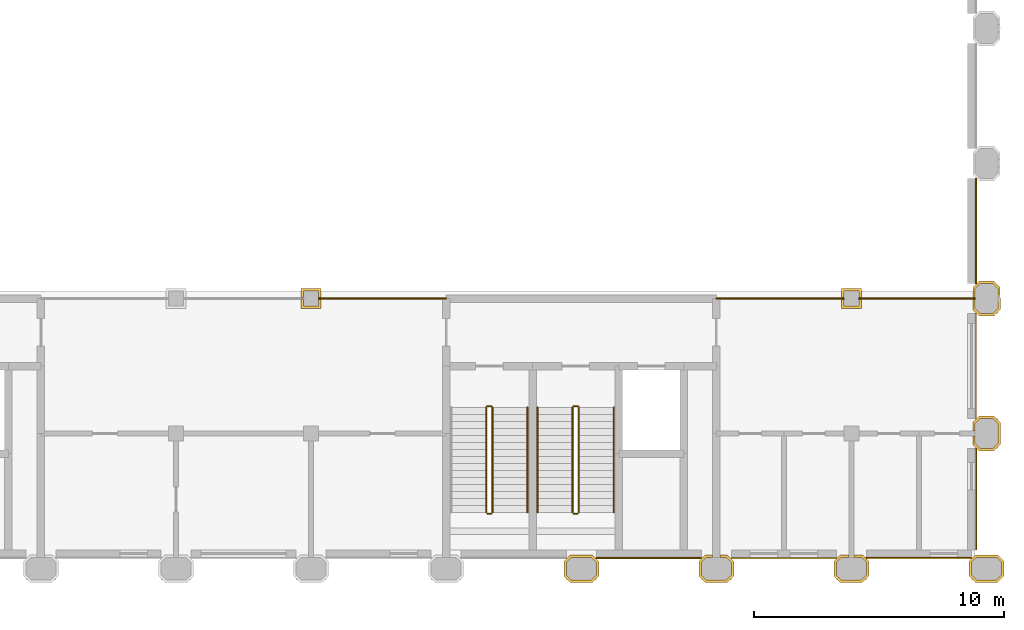
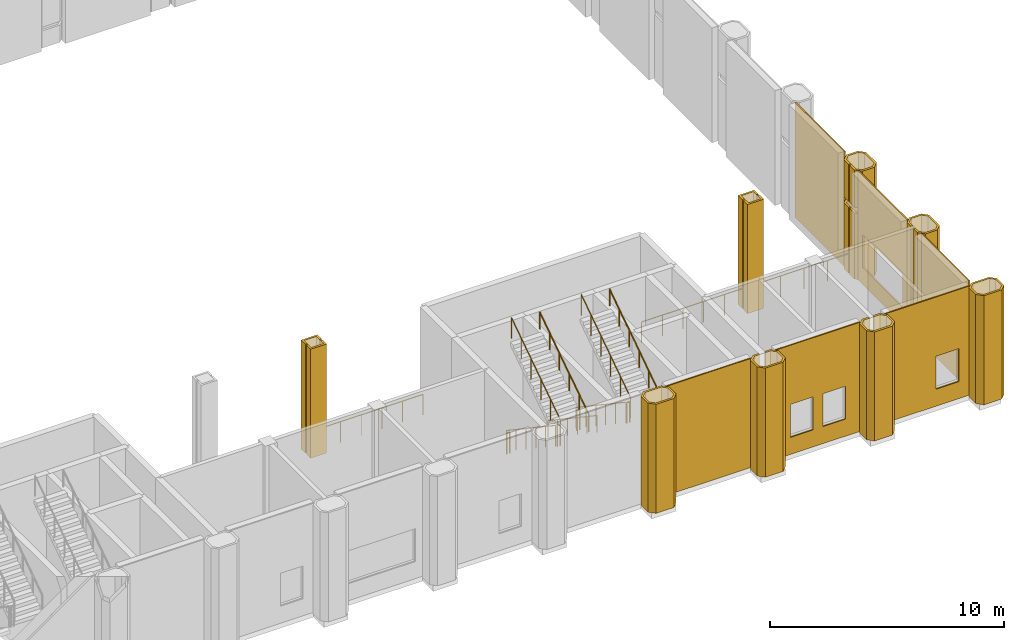
# One storey, part 31 of 34: 17 coverings, 14 railings.
"""IFC4 building model written with IfcOpenShell, lengths in metres."""

from ifc_helpers import new_model, si_unit, direction, frame, frame_2d, origin, origin_2d, place, context, subcontext, project, spatial, polyline, rectangle, circle, outline, extrude, material, layer, layer_set, type_object, element, save


model = new_model("IFC4")

# Units and contexts
model_context = context("Model", 3, precision=1e-05, world=origin(), true_north=direction((0.0, 1.0)))
body_context = subcontext(model_context, "Body", "Model", "MODEL_VIEW")
ifc_project = project(units=[si_unit("LENGTHUNIT", "METRE"), si_unit("AREAUNIT", "SQUARE_METRE"), si_unit("VOLUMEUNIT", "CUBIC_METRE"), si_unit("PLANEANGLEUNIT", "RADIAN"), si_unit("MASSUNIT", "GRAM", prefix="KILO")], contexts=[model_context])

# Site, building, storey
site_placement = place(None, origin())
site = spatial("IfcSite", under=ifc_project, at=site_placement, CompositionType="ELEMENT")
building_placement = place(site_placement, origin())
building = spatial("IfcBuilding", under=site, at=building_placement, Name="Tabaq Tower and Sports Hall", CompositionType="ELEMENT")
storey_placement = place(building_placement, frame((0.0, 0.0, 8.39990234375)))
storey = spatial("IfcBuildingStorey", under=building, at=storey_placement, Name="L01", CompositionType="ELEMENT", Elevation=8.39990234375)

# Coverings
ifc_material_1 = material(Name="Precast concrete C60/75", Category="concrete")
ifc_layer_1 = layer(ifc_material_1, 0.10009765625)
ifc_layer_set_1 = layer_set([ifc_layer_1], Name="Column cladding 100")
covering_type_1 = type_object("IfcCoveringType", Name="Column cladding 100", PredefinedType="CLADDING", material=ifc_layer_set_1)
covering_1_placement = place(storey_placement, origin())
element("IfcCovering", 1, at=covering_1_placement, inside=storey, type_object=covering_type_1, Name="Column cladding L01 HC-19C", PredefinedType="CLADDING", context=body_context, shape_type="SweptSolid", body=[
    extrude(outline(polyline([(97.599609375, 11.19970703125), (97.599609375, 10.84033203125), (97.500244140625, 10.84033203125), (97.500244140625, 11.100341796875), (96.899658203125, 11.100341796875), (96.899658203125, 10.84033203125), (96.80029296875, 10.84033203125), (96.80029296875, 11.19970703125), (97.599609375, 11.19970703125)])), origin(), (0.0, 0.0, 1.0), 5.7001953125),
])
covering_2_placement = place(storey_placement, origin())
element("IfcCovering", 2, at=covering_2_placement, inside=storey, type_object=covering_type_1, Name="Column cladding L01 HC-19C 2", PredefinedType="CLADDING", context=body_context, shape_type="SweptSolid", body=[
    extrude(outline(polyline([(97.599609375, 10.400390625), (96.80029296875, 10.400390625), (96.80029296875, 10.759765625), (96.899658203125, 10.759765625), (96.899658203125, 10.499755859375), (97.500244140625, 10.499755859375), (97.500244140625, 10.759765625), (97.599609375, 10.759765625), (97.599609375, 10.400390625)])), origin(), (0.0, 0.0, 1.0), 5.7001953125),
])
covering_3_placement = place(storey_placement, origin())
element("IfcCovering", 3, at=covering_3_placement, inside=storey, type_object=covering_type_1, Name="Column cladding L01 HC-21A", PredefinedType="CLADDING", context=body_context, shape_type="SweptSolid", body=[
    extrude(outline(polyline([(107.30029296875, -0.291259765625), (107.30029296875, 0.291259765625), (107.55859375, 0.5498046875), (108.44140625, 0.5498046875), (108.69970703125, 0.291259765625), (108.69970703125, -0.291259765625), (108.44140625, -0.5498046875), (107.55859375, -0.5498046875), (107.30029296875, -0.291259765625)]), holes=[polyline([(108.400146484375, -0.4501953125), (108.600341796875, -0.250244140625), (108.600341796875, 0.250244140625), (108.400146484375, 0.4501953125), (107.599853515625, 0.4501953125), (107.399658203125, 0.250244140625), (107.399658203125, -0.250244140625), (107.599853515625, -0.4501953125), (108.400146484375, -0.4501953125)])]), origin(), (0.0, 0.0, 1.0), 5.7001953125),
])
covering_4_placement = place(storey_placement, origin())
element("IfcCovering", 4, at=covering_4_placement, inside=storey, type_object=covering_type_1, Name="Column cladding L01 HC-22A", PredefinedType="CLADDING", context=body_context, shape_type="SweptSolid", body=[
    extrude(outline(polyline([(112.7001953125, 0.291259765625), (112.958740234375, 0.5498046875), (113.249755859375, 0.5498046875), (113.249755859375, 0.4501953125), (112.999755859375, 0.4501953125), (112.7998046875, 0.250244140625), (112.7998046875, -0.250244140625), (112.999755859375, -0.4501953125), (113.800048828125, -0.4501953125), (114.000244140625, -0.250244140625), (114.000244140625, 0.250244140625), (113.800048828125, 0.4501953125), (113.55029296875, 0.4501953125), (113.55029296875, 0.5498046875), (113.84130859375, 0.5498046875), (114.099609375, 0.291259765625), (114.099609375, -0.291259765625), (113.84130859375, -0.5498046875), (112.958740234375, -0.5498046875), (112.7001953125, -0.291259765625), (112.7001953125, 0.291259765625)])), origin(), (0.0, 0.0, 1.0), 5.7001953125),
])
covering_5_placement = place(storey_placement, origin())
element("IfcCovering", 5, at=covering_5_placement, inside=storey, type_object=covering_type_1, Name="Column cladding L01 HC-23A", PredefinedType="CLADDING", context=body_context, shape_type="SweptSolid", body=[
    extrude(outline(polyline([(118.100341796875, 0.291259765625), (118.358642578125, 0.5498046875), (118.69970703125, 0.5498046875), (118.69970703125, 0.4501953125), (118.39990234375, 0.4501953125), (118.19970703125, 0.250244140625), (118.19970703125, -0.250244140625), (118.39990234375, -0.4501953125), (119.2001953125, -0.4501953125), (119.400390625, -0.250244140625), (119.400390625, 0.250244140625), (119.2001953125, 0.4501953125), (118.900390625, 0.4501953125), (118.900390625, 0.5498046875), (119.2412109375, 0.5498046875), (119.499755859375, 0.291259765625), (119.499755859375, -0.291259765625), (119.2412109375, -0.5498046875), (118.358642578125, -0.5498046875), (118.100341796875, -0.291259765625), (118.100341796875, 0.291259765625)])), origin(), (0.0, 0.0, 1.0), 5.7001953125),
])
covering_6_placement = place(storey_placement, origin())
element("IfcCovering", 6, at=covering_6_placement, inside=storey, type_object=covering_type_1, Name="Column cladding L01 HC-23C", PredefinedType="CLADDING", context=body_context, shape_type="SweptSolid", body=[
    extrude(outline(polyline([(119.19970703125, 11.19970703125), (119.19970703125, 10.84033203125), (119.100341796875, 10.84033203125), (119.100341796875, 11.100341796875), (118.499755859375, 11.100341796875), (118.499755859375, 10.84033203125), (118.400390625, 10.84033203125), (118.400390625, 11.19970703125), (119.19970703125, 11.19970703125)])), origin(), (0.0, 0.0, 1.0), 5.7001953125),
])
covering_7_placement = place(storey_placement, origin())
element("IfcCovering", 7, at=covering_7_placement, inside=storey, type_object=covering_type_1, Name="Column cladding L01 HC-23C 2", PredefinedType="CLADDING", context=body_context, shape_type="SweptSolid", body=[
    extrude(outline(polyline([(119.19970703125, 10.400390625), (118.400390625, 10.400390625), (118.400390625, 10.759765625), (118.499755859375, 10.759765625), (118.499755859375, 10.499755859375), (119.100341796875, 10.499755859375), (119.100341796875, 10.759765625), (119.19970703125, 10.759765625), (119.19970703125, 10.400390625)])), origin(), (0.0, 0.0, 1.0), 5.7001953125),
])
covering_8_placement = place(storey_placement, origin())
element("IfcCovering", 8, at=covering_8_placement, inside=storey, type_object=covering_type_1, Name="Column cladding L01 HC-24A", PredefinedType="CLADDING", context=body_context, shape_type="SweptSolid", body=[
    extrude(outline(polyline([(123.500244140625, -0.291259765625), (123.500244140625, 0.291259765625), (123.7587890625, 0.5498046875), (124.641357421875, 0.5498046875), (124.899658203125, 0.291259765625), (124.899658203125, -0.291259765625), (124.641357421875, -0.5498046875), (123.7587890625, -0.5498046875), (123.500244140625, -0.291259765625)]), holes=[polyline([(124.60009765625, -0.4501953125), (124.80029296875, -0.250244140625), (124.80029296875, 0.250244140625), (124.60009765625, 0.4501953125), (123.7998046875, 0.4501953125), (123.599609375, 0.250244140625), (123.599609375, -0.250244140625), (123.7998046875, -0.4501953125), (124.60009765625, -0.4501953125)])]), origin(), (0.0, 0.0, 1.0), 5.7001953125),
])
covering_9_placement = place(storey_placement, origin())
element("IfcCovering", 9, at=covering_9_placement, inside=storey, type_object=covering_type_1, Name="Column cladding L01 HC-24B", PredefinedType="CLADDING", context=body_context, shape_type="SweptSolid", body=[
    extrude(outline(polyline([(123.90869140625, 4.7001953125), (123.650390625, 4.958740234375), (123.650390625, 5.2998046875), (123.749755859375, 5.2998046875), (123.749755859375, 4.999755859375), (123.949951171875, 4.7998046875), (124.4501953125, 4.7998046875), (124.650390625, 4.999755859375), (124.650390625, 5.800048828125), (124.4501953125, 6.000244140625), (123.949951171875, 6.000244140625), (123.749755859375, 5.800048828125), (123.749755859375, 5.500244140625), (123.650390625, 5.500244140625), (123.650390625, 5.84130859375), (123.90869140625, 6.099609375), (124.4912109375, 6.099609375), (124.749755859375, 5.84130859375), (124.749755859375, 4.958740234375), (124.4912109375, 4.7001953125), (123.90869140625, 4.7001953125)])), origin(), (0.0, 0.0, 1.0), 5.7001953125),
])
covering_10_placement = place(storey_placement, origin())
element("IfcCovering", 10, at=covering_10_placement, inside=storey, type_object=covering_type_1, Name="Column cladding L01 HC-24C", PredefinedType="CLADDING", context=body_context, shape_type="SweptSolid", body=[
    extrude(outline(polyline([(123.90869140625, 10.100341796875), (123.650390625, 10.358642578125), (123.650390625, 10.759765625), (123.749755859375, 10.759765625), (123.749755859375, 10.39990234375), (123.949951171875, 10.19970703125), (124.4501953125, 10.19970703125), (124.650390625, 10.39990234375), (124.650390625, 11.2001953125), (124.4501953125, 11.400390625), (123.949951171875, 11.400390625), (123.749755859375, 11.2001953125), (123.749755859375, 10.84033203125), (123.650390625, 10.84033203125), (123.650390625, 11.2412109375), (123.90869140625, 11.499755859375), (124.4912109375, 11.499755859375), (124.73974609375, 11.251220703125), (124.73974609375, 10.819580078125), (124.749755859375, 10.819580078125), (124.749755859375, 10.358642578125), (124.4912109375, 10.100341796875), (123.90869140625, 10.100341796875)])), origin(), (0.0, 0.0, 1.0), 3.4501953125),
])
covering_11_placement = place(storey_placement, frame((0.0, 0.0, 3.75)))
element("IfcCovering", 11, at=covering_11_placement, inside=storey, type_object=covering_type_1, Name="Column cladding L01 HC-24C 2", PredefinedType="CLADDING", context=body_context, shape_type="SweptSolid", body=[
    extrude(outline(polyline([(123.90869140625, 10.100341796875), (123.650390625, 10.358642578125), (123.650390625, 10.759765625), (123.749755859375, 10.759765625), (123.749755859375, 10.39990234375), (123.949951171875, 10.19970703125), (124.4501953125, 10.19970703125), (124.650390625, 10.39990234375), (124.650390625, 11.2001953125), (124.4501953125, 11.400390625), (123.949951171875, 11.400390625), (123.749755859375, 11.2001953125), (123.749755859375, 10.84033203125), (123.650390625, 10.84033203125), (123.650390625, 11.2412109375), (123.90869140625, 11.499755859375), (124.4912109375, 11.499755859375), (124.73974609375, 11.251220703125), (124.73974609375, 10.819580078125), (124.749755859375, 10.819580078125), (124.749755859375, 10.358642578125), (124.4912109375, 10.100341796875), (123.90869140625, 10.100341796875)])), origin(), (0.0, 0.0, 1.0), 1.9501953125),
])

# Railings
ifc_material_2 = material(Name="Stainless steel and glass balustrade", Category="steel")
railing_type_1 = type_object("IfcRailingType", Name="HALL GUARD 1100", PredefinedType="GUARDRAIL", material=ifc_material_2)
railing_1_placement = place(storey_placement, frame((104.199951171875, 6.449951171875, 0.1875)))
element("IfcRailing", 12, at=railing_1_placement, inside=storey, type_object=railing_type_1, Name="L01 ST-H3 stair guard 1", PredefinedType="GUARDRAIL", context=body_context, shape_type="SweptSolid", body=[
    extrude(circle(Radius=0.02392578125, at=origin_2d()), frame((0.0, 0.0, 1.076171875), z_axis=(0.0, -0.830904186295, 0.556415522067), x_axis=(1.0, 0.0, 0.0)), (0.0, 0.0, 1.0), 5.0546875),
    extrude(circle(Radius=0.02099609375, at=origin_2d()), origin(), (0.0, 0.0, 1.0), 1.052001953125),
    extrude(circle(Radius=0.02099609375, at=origin_2d()), frame((0.0, -0.840087890625, 0.5625)), (0.0, 0.0, 1.0), 1.052001953125),
    extrude(circle(Radius=0.02099609375, at=origin_2d()), frame((0.0, -1.679931640625, 1.125)), (0.0, 0.0, 1.0), 1.052001953125),
    extrude(circle(Radius=0.02099609375, at=origin_2d()), frame((0.0, -2.52001953125, 1.6875)), (0.0, 0.0, 1.0), 1.052001953125),
    extrude(circle(Radius=0.02099609375, at=origin_2d()), frame((0.0, -3.35986328125, 2.25)), (0.0, 0.0, 1.0), 1.052001953125),
    extrude(circle(Radius=0.02099609375, at=origin_2d()), frame((0.0, -4.199951171875, 2.8125)), (0.0, 0.0, 1.0), 1.052001953125),
])
railing_2_placement = place(storey_placement, frame((104.25, 2.199951171875, 3.0)))
element("IfcRailing", 13, at=railing_2_placement, inside=storey, type_object=railing_type_1, Name="L01 ST-H3 stair guard 2", PredefinedType="GUARDRAIL", context=body_context, shape_type="SweptSolid", body=[
    extrude(circle(Radius=0.02392578125, at=origin_2d()), frame((0.0, 0.0, 1.076171875), z_axis=(1.0, 0.0, 0.0), x_axis=(0.0, 1.0, 0.0)), (0.0, 0.0, 1.0), 0.14990234375),
    extrude(circle(Radius=0.02099609375, at=origin_2d()), origin(), (0.0, 0.0, 1.0), 1.052001953125),
    extrude(circle(Radius=0.02099609375, at=origin_2d()), frame((0.14990234375, 0.0, 0.0)), (0.0, 0.0, 1.0), 1.052001953125),
])
railing_3_placement = place(storey_placement, frame((104.449951171875, 2.25, 3.1875)))
element("IfcRailing", 14, at=railing_3_placement, inside=storey, type_object=railing_type_1, Name="L01 ST-H3 stair guard 3", PredefinedType="GUARDRAIL", context=body_context, shape_type="SweptSolid", body=[
    extrude(circle(Radius=0.02392578125, at=origin_2d()), frame((0.0, 0.0, 1.076171875), z_axis=(0.0, 0.830904186295, 0.556415522067), x_axis=(-1.0, 0.0, 0.0)), (0.0, 0.0, 1.0), 5.0546875),
    extrude(circle(Radius=0.02099609375, at=origin_2d()), origin(), (0.0, 0.0, 1.0), 1.052001953125),
    extrude(circle(Radius=0.02099609375, at=origin_2d()), frame((0.0, 0.840087890625, 0.5625)), (0.0, 0.0, 1.0), 1.052001953125),
    extrude(circle(Radius=0.02099609375, at=origin_2d()), frame((0.0, 1.679931640625, 1.125)), (0.0, 0.0, 1.0), 1.052001953125),
    extrude(circle(Radius=0.02099609375, at=origin_2d()), frame((0.0, 2.52001953125, 1.6875)), (0.0, 0.0, 1.0), 1.052001953125),
    extrude(circle(Radius=0.02099609375, at=origin_2d()), frame((0.0, 3.35986328125, 2.25)), (0.0, 0.0, 1.0), 1.052001953125),
    extrude(circle(Radius=0.02099609375, at=origin_2d()), frame((0.0, 4.199951171875, 2.8125)), (0.0, 0.0, 1.0), 1.052001953125),
])
railing_4_placement = place(storey_placement, frame((104.25, 6.5, 0.0)))
element("IfcRailing", 15, at=railing_4_placement, inside=storey, type_object=railing_type_1, Name="L01 ST-H3 stair guard 4", PredefinedType="GUARDRAIL", context=body_context, shape_type="SweptSolid", body=[
    extrude(circle(Radius=0.02392578125, at=origin_2d()), frame((0.0, 0.0, 1.076171875), z_axis=(1.0, 0.0, 0.0), x_axis=(0.0, 1.0, 0.0)), (0.0, 0.0, 1.0), 0.14990234375),
    extrude(circle(Radius=0.02099609375, at=origin_2d()), origin(), (0.0, 0.0, 1.0), 1.052001953125),
    extrude(circle(Radius=0.02099609375, at=origin_2d()), frame((0.14990234375, 0.0, 0.0)), (0.0, 0.0, 1.0), 1.052001953125),
])
railing_5_placement = place(storey_placement, frame((107.64990234375, 6.449951171875, 0.1875)))
element("IfcRailing", 16, at=railing_5_placement, inside=storey, type_object=railing_type_1, Name="L01 ST-H4 stair guard 1", PredefinedType="GUARDRAIL", context=body_context, shape_type="SweptSolid", body=[
    extrude(circle(Radius=0.02392578125, at=origin_2d()), frame((0.0, 0.0, 1.076171875), z_axis=(0.0, -0.830904186295, 0.556415522067), x_axis=(1.0, 0.0, 0.0)), (0.0, 0.0, 1.0), 5.0546875),
    extrude(circle(Radius=0.02099609375, at=origin_2d()), origin(), (0.0, 0.0, 1.0), 1.052001953125),
    extrude(circle(Radius=0.02099609375, at=origin_2d()), frame((0.0, -0.840087890625, 0.5625)), (0.0, 0.0, 1.0), 1.052001953125),
    extrude(circle(Radius=0.02099609375, at=origin_2d()), frame((0.0, -1.679931640625, 1.125)), (0.0, 0.0, 1.0), 1.052001953125),
    extrude(circle(Radius=0.02099609375, at=origin_2d()), frame((0.0, -2.52001953125, 1.6875)), (0.0, 0.0, 1.0), 1.052001953125),
    extrude(circle(Radius=0.02099609375, at=origin_2d()), frame((0.0, -3.35986328125, 2.25)), (0.0, 0.0, 1.0), 1.052001953125),
    extrude(circle(Radius=0.02099609375, at=origin_2d()), frame((0.0, -4.199951171875, 2.8125)), (0.0, 0.0, 1.0), 1.052001953125),
])
railing_6_placement = place(storey_placement, frame((107.699951171875, 2.199951171875, 3.0)))
element("IfcRailing", 17, at=railing_6_placement, inside=storey, type_object=railing_type_1, Name="L01 ST-H4 stair guard 2", PredefinedType="GUARDRAIL", context=body_context, shape_type="SweptSolid", body=[
    extrude(circle(Radius=0.02392578125, at=origin_2d()), frame((0.0, 0.0, 1.076171875), z_axis=(1.0, 0.0, 0.0), x_axis=(0.0, 1.0, 0.0)), (0.0, 0.0, 1.0), 0.150146484375),
    extrude(circle(Radius=0.02099609375, at=origin_2d()), origin(), (0.0, 0.0, 1.0), 1.052001953125),
    extrude(circle(Radius=0.02099609375, at=origin_2d()), frame((0.150146484375, 0.0, 0.0)), (0.0, 0.0, 1.0), 1.052001953125),
])
railing_7_placement = place(storey_placement, frame((107.89990234375, 2.25, 3.1875)))
element("IfcRailing", 18, at=railing_7_placement, inside=storey, type_object=railing_type_1, Name="L01 ST-H4 stair guard 3", PredefinedType="GUARDRAIL", context=body_context, shape_type="SweptSolid", body=[
    extrude(circle(Radius=0.02392578125, at=origin_2d()), frame((0.0, 0.0, 1.076171875), z_axis=(0.0, 0.830904186295, 0.556415522067), x_axis=(-1.0, 0.0, 0.0)), (0.0, 0.0, 1.0), 5.0546875),
    extrude(circle(Radius=0.02099609375, at=origin_2d()), origin(), (0.0, 0.0, 1.0), 1.052001953125),
    extrude(circle(Radius=0.02099609375, at=origin_2d()), frame((0.0, 0.840087890625, 0.5625)), (0.0, 0.0, 1.0), 1.052001953125),
    extrude(circle(Radius=0.02099609375, at=origin_2d()), frame((0.0, 1.679931640625, 1.125)), (0.0, 0.0, 1.0), 1.052001953125),
    extrude(circle(Radius=0.02099609375, at=origin_2d()), frame((0.0, 2.52001953125, 1.6875)), (0.0, 0.0, 1.0), 1.052001953125),
    extrude(circle(Radius=0.02099609375, at=origin_2d()), frame((0.0, 3.35986328125, 2.25)), (0.0, 0.0, 1.0), 1.052001953125),
    extrude(circle(Radius=0.02099609375, at=origin_2d()), frame((0.0, 4.199951171875, 2.8125)), (0.0, 0.0, 1.0), 1.052001953125),
])
railing_8_placement = place(storey_placement, frame((107.699951171875, 6.5, 0.0)))
element("IfcRailing", 19, at=railing_8_placement, inside=storey, type_object=railing_type_1, Name="L01 ST-H4 stair guard 4", PredefinedType="GUARDRAIL", context=body_context, shape_type="SweptSolid", body=[
    extrude(circle(Radius=0.02392578125, at=origin_2d()), frame((0.0, 0.0, 1.076171875), z_axis=(1.0, 0.0, 0.0), x_axis=(0.0, 1.0, 0.0)), (0.0, 0.0, 1.0), 0.150146484375),
    extrude(circle(Radius=0.02099609375, at=origin_2d()), origin(), (0.0, 0.0, 1.0), 1.052001953125),
    extrude(circle(Radius=0.02099609375, at=origin_2d()), frame((0.150146484375, 0.0, 0.0)), (0.0, 0.0, 1.0), 1.052001953125),
])
for number, where, name in (
    (20, (97.5, 10.800048828125, 0.0), "L01 gallery guard"),
    (21, (113.39990234375, 10.800048828125, 0.0), "L01 gallery guard"),
):
    element("IfcRailing", number, at=place(storey_placement, frame(where)), inside=storey, type_object=railing_type_1, Name=name, PredefinedType="GUARDRAIL", context=body_context, shape_type="SweptSolid", body=[
        extrude(circle(Radius=0.02392578125, at=origin_2d()), frame((0.0, 0.0, 1.076171875), z_axis=(1.0, 0.0, 0.0), x_axis=(0.0, 1.0, 0.0)), (0.0, 0.0, 1.0), 5.10009765625),
        extrude(circle(Radius=0.02099609375, at=origin_2d()), origin(), (0.0, 0.0, 1.0), 1.052001953125),
        extrude(circle(Radius=0.02099609375, at=origin_2d()), frame((1.02001953125, 0.0, 0.0)), (0.0, 0.0, 1.0), 1.052001953125),
        extrude(circle(Radius=0.02099609375, at=origin_2d()), frame((2.0400390625, 0.0, 0.0)), (0.0, 0.0, 1.0), 1.052001953125),
        extrude(circle(Radius=0.02099609375, at=origin_2d()), frame((3.06005859375, 0.0, 0.0)), (0.0, 0.0, 1.0), 1.052001953125),
        extrude(circle(Radius=0.02099609375, at=origin_2d()), frame((4.080078125, 0.0, 0.0)), (0.0, 0.0, 1.0), 1.052001953125),
        extrude(circle(Radius=0.02099609375, at=origin_2d()), frame((5.10009765625, 0.0, 0.0)), (0.0, 0.0, 1.0), 1.052001953125),
    ])
railing_9_placement = place(storey_placement, frame((119.10009765625, 10.800048828125, 0.0)))
element("IfcRailing", 22, at=railing_9_placement, inside=storey, type_object=railing_type_1, Name="L01 gallery guard", PredefinedType="GUARDRAIL", context=body_context, shape_type="SweptSolid", body=[
    extrude(circle(Radius=0.02392578125, at=origin_2d()), frame((0.0, 0.0, 1.076171875), z_axis=(1.0, 0.0, 0.0), x_axis=(0.0, 1.0, 0.0)), (0.0, 0.0, 1.0), 4.64990234375),
    extrude(circle(Radius=0.02099609375, at=origin_2d()), origin(), (0.0, 0.0, 1.0), 1.052001953125),
    extrude(circle(Radius=0.02099609375, at=origin_2d()), frame((1.16259765625, 0.0, 0.0)), (0.0, 0.0, 1.0), 1.052001953125),
    extrude(circle(Radius=0.02099609375, at=origin_2d()), frame((2.324951171875, 0.0, 0.0)), (0.0, 0.0, 1.0), 1.052001953125),
    extrude(circle(Radius=0.02099609375, at=origin_2d()), frame((3.4873046875, 0.0, 0.0)), (0.0, 0.0, 1.0), 1.052001953125),
    extrude(circle(Radius=0.02099609375, at=origin_2d()), frame((4.64990234375, 0.0, 0.0)), (0.0, 0.0, 1.0), 1.052001953125),
])
ifc_material_3 = material(Name="Stainless steel handrail", Category="steel")
railing_type_2 = type_object("IfcRailingType", Name="HALL HANDRAIL 900", PredefinedType="HANDRAIL", material=ifc_material_3)
railing_10_placement = place(storey_placement, frame((105.85009765625, 2.25, 3.1875)))
element("IfcRailing", 23, at=railing_10_placement, inside=storey, type_object=railing_type_2, Name="L01 ST-H3 stair handrail 2", PredefinedType="HANDRAIL", context=body_context, shape_type="SweptSolid", body=[
    extrude(circle(Radius=0.02392578125, at=origin_2d()), frame((0.0, 0.0, 0.8759765625), z_axis=(0.0, 0.830904186295, 0.556415522067), x_axis=(-1.0, 0.0, 0.0)), (0.0, 0.0, 1.0), 5.0546875),
    extrude(circle(Radius=0.02099609375, at=origin_2d()), origin(), (0.0, 0.0, 1.0), 0.851806640625),
    extrude(circle(Radius=0.02099609375, at=origin_2d()), frame((0.0, 0.840087890625, 0.5625)), (0.0, 0.0, 1.0), 0.851806640625),
    extrude(circle(Radius=0.02099609375, at=origin_2d()), frame((0.0, 1.679931640625, 1.125)), (0.0, 0.0, 1.0), 0.851806640625),
    extrude(circle(Radius=0.02099609375, at=origin_2d()), frame((0.0, 2.52001953125, 1.6875)), (0.0, 0.0, 1.0), 0.851806640625),
    extrude(circle(Radius=0.02099609375, at=origin_2d()), frame((0.0, 3.35986328125, 2.25)), (0.0, 0.0, 1.0), 0.851806640625),
    extrude(circle(Radius=0.02099609375, at=origin_2d()), frame((0.0, 4.199951171875, 2.8125)), (0.0, 0.0, 1.0), 0.851806640625),
])
railing_11_placement = place(storey_placement, frame((106.25, 6.449951171875, 0.1875)))
element("IfcRailing", 24, at=railing_11_placement, inside=storey, type_object=railing_type_2, Name="L01 ST-H4 stair handrail 1", PredefinedType="HANDRAIL", context=body_context, shape_type="SweptSolid", body=[
    extrude(circle(Radius=0.02392578125, at=origin_2d()), frame((0.0, 0.0, 0.8759765625), z_axis=(0.0, -0.830904186295, 0.556415522067), x_axis=(1.0, 0.0, 0.0)), (0.0, 0.0, 1.0), 5.0546875),
    extrude(circle(Radius=0.02099609375, at=origin_2d()), origin(), (0.0, 0.0, 1.0), 0.851806640625),
    extrude(circle(Radius=0.02099609375, at=origin_2d()), frame((0.0, -0.840087890625, 0.5625)), (0.0, 0.0, 1.0), 0.851806640625),
    extrude(circle(Radius=0.02099609375, at=origin_2d()), frame((0.0, -1.679931640625, 1.125)), (0.0, 0.0, 1.0), 0.851806640625),
    extrude(circle(Radius=0.02099609375, at=origin_2d()), frame((0.0, -2.52001953125, 1.6875)), (0.0, 0.0, 1.0), 0.851806640625),
    extrude(circle(Radius=0.02099609375, at=origin_2d()), frame((0.0, -3.35986328125, 2.25)), (0.0, 0.0, 1.0), 0.851806640625),
    extrude(circle(Radius=0.02099609375, at=origin_2d()), frame((0.0, -4.199951171875, 2.8125)), (0.0, 0.0, 1.0), 0.851806640625),
])
railing_12_placement = place(storey_placement, frame((109.300048828125, 2.25, 3.1875)))
element("IfcRailing", 25, at=railing_12_placement, inside=storey, type_object=railing_type_2, Name="L01 ST-H4 stair handrail 2", PredefinedType="HANDRAIL", context=body_context, shape_type="SweptSolid", body=[
    extrude(circle(Radius=0.02392578125, at=origin_2d()), frame((0.0, 0.0, 0.8759765625), z_axis=(0.0, 0.830904186295, 0.556415522067), x_axis=(-1.0, 0.0, 0.0)), (0.0, 0.0, 1.0), 5.0546875),
    extrude(circle(Radius=0.02099609375, at=origin_2d()), origin(), (0.0, 0.0, 1.0), 0.851806640625),
    extrude(circle(Radius=0.02099609375, at=origin_2d()), frame((0.0, 0.840087890625, 0.5625)), (0.0, 0.0, 1.0), 0.851806640625),
    extrude(circle(Radius=0.02099609375, at=origin_2d()), frame((0.0, 1.679931640625, 1.125)), (0.0, 0.0, 1.0), 0.851806640625),
    extrude(circle(Radius=0.02099609375, at=origin_2d()), frame((0.0, 2.52001953125, 1.6875)), (0.0, 0.0, 1.0), 0.851806640625),
    extrude(circle(Radius=0.02099609375, at=origin_2d()), frame((0.0, 3.35986328125, 2.25)), (0.0, 0.0, 1.0), 0.851806640625),
    extrude(circle(Radius=0.02099609375, at=origin_2d()), frame((0.0, 4.199951171875, 2.8125)), (0.0, 0.0, 1.0), 0.851806640625),
])

# Coverings
ifc_material_4 = material(Name="Precast concrete C60/75", Category="concrete")
ifc_layer_2 = layer(ifc_material_4, 0.06005859375)
ifc_layer_set_2 = layer_set([ifc_layer_2], Name="White precast cladding panel 60 C60/75")
covering_type_2 = type_object("IfcCoveringType", Name="White precast cladding panel 60 C60/75", PredefinedType="CLADDING", material=ifc_layer_set_2)
covering_12_placement = place(storey_placement, frame((123.780029296875, 0.75, 0.0), z_axis=(0.0, 0.0, 1.0), x_axis=(0.0, 1.0, 0.0)))
element("IfcCovering", 26, at=covering_12_placement, inside=storey, type_object=covering_type_2, Name="White precast cladding panel L01 L01", PredefinedType="CLADDING", context=body_context, shape_type="SweptSolid", body=[
    extrude(outline(polyline([(0.0, 0.0), (4.050048828125, 0.0), (4.050048828125, 5.7001953125), (0.0, 5.7001953125), (0.0, 0.0)]), holes=[polyline([(2.389892578125, 0.89013671875), (2.389892578125, 2.610107421875), (3.510009765625, 2.610107421875), (3.510009765625, 0.89013671875), (2.389892578125, 0.89013671875)])]), frame((0.0, 0.030029296875, 0.0), z_axis=(0.0, -1.0, 0.0), x_axis=(1.0, 0.0, 0.0)), (0.0, 0.0, 1.0), 0.06005859375),
])
covering_13_placement = place(storey_placement, frame((123.780029296875, 6.0, 0.0), z_axis=(0.0, 0.0, 1.0), x_axis=(0.0, 1.0, 0.0)))
element("IfcCovering", 27, at=covering_13_placement, inside=storey, type_object=covering_type_2, Name="White precast cladding panel L01 L01", PredefinedType="CLADDING", context=body_context, shape_type="SweptSolid", body=[
    extrude(outline(polyline([(0.0, 0.0), (4.199951171875, 0.0), (4.199951171875, 5.7001953125), (0.0, 5.7001953125), (0.0, 0.0)]), holes=[polyline([(0.389892578125, 0.89013671875), (0.389892578125, 2.610107421875), (3.81005859375, 2.610107421875), (3.81005859375, 0.89013671875), (0.389892578125, 0.89013671875)])]), frame((0.0, 0.030029296875, 0.0), z_axis=(0.0, -1.0, 0.0), x_axis=(1.0, 0.0, 0.0)), (0.0, 0.0, 1.0), 0.06005859375),
])
covering_14_placement = place(storey_placement, frame((123.780029296875, 11.39990234375, 0.0), z_axis=(0.0, 0.0, 1.0), x_axis=(0.0, 1.0, 0.0)))
element("IfcCovering", 28, at=covering_14_placement, inside=storey, type_object=covering_type_2, Name="White precast cladding panel L01 L01", PredefinedType="CLADDING", context=body_context, shape_type="SweptSolid", body=[
    extrude(rectangle(XDim=4.2001953125, YDim=0.06005859375, at=frame_2d((2.10009765625, 0.0))), origin(), (0.0, 0.0, 1.0), 6.0),
])
covering_15_placement = place(storey_placement, frame((108.60009765625, 0.419921875, 0.0), z_axis=(0.0, 0.0, 1.0), x_axis=(1.0, 0.0, 0.0)))
element("IfcCovering", 29, at=covering_15_placement, inside=storey, type_object=covering_type_2, Name="White precast cladding panel L01 L01", PredefinedType="CLADDING", context=body_context, shape_type="SweptSolid", body=[
    extrude(rectangle(XDim=4.199951171875, YDim=0.06005859375, at=frame_2d((2.10009765625, 0.0))), origin(), (0.0, 0.0, 1.0), 5.7001953125),
])
covering_16_placement = place(storey_placement, frame((114.0, 0.419921875, 0.0), z_axis=(0.0, 0.0, 1.0), x_axis=(1.0, 0.0, 0.0)))
element("IfcCovering", 30, at=covering_16_placement, inside=storey, type_object=covering_type_2, Name="White precast cladding panel L01 L01", PredefinedType="CLADDING", context=body_context, shape_type="SweptSolid", body=[
    extrude(outline(polyline([(0.0, 0.0), (4.199951171875, 0.0), (4.199951171875, 5.7001953125), (0.0, 5.7001953125), (0.0, 0.0)]), holes=[polyline([(0.739990234375, 2.610107421875), (1.860107421875, 2.610107421875), (1.860107421875, 0.89013671875), (0.739990234375, 0.89013671875), (0.739990234375, 2.610107421875)]), polyline([(2.340087890625, 2.610107421875), (3.4599609375, 2.610107421875), (3.4599609375, 0.89013671875), (2.340087890625, 0.89013671875), (2.340087890625, 2.610107421875)])]), frame((0.0, 0.030029296875, 0.0), z_axis=(0.0, -1.0, 0.0), x_axis=(1.0, 0.0, 0.0)), (0.0, 0.0, 1.0), 0.06005859375),
])
covering_17_placement = place(storey_placement, frame((119.39990234375, 0.419921875, 0.0), z_axis=(0.0, 0.0, 1.0), x_axis=(1.0, 0.0, 0.0)))
element("IfcCovering", 31, at=covering_17_placement, inside=storey, type_object=covering_type_2, Name="White precast cladding panel L01 L01", PredefinedType="CLADDING", context=body_context, shape_type="SweptSolid", body=[
    extrude(outline(polyline([(0.0, 0.0), (4.2001953125, 0.0), (4.2001953125, 5.7001953125), (0.0, 5.7001953125), (0.0, 0.0)]), holes=[polyline([(2.5400390625, 0.89013671875), (2.5400390625, 2.610107421875), (3.659912109375, 2.610107421875), (3.659912109375, 0.89013671875), (2.5400390625, 0.89013671875)])]), frame((0.0, 0.030029296875, 0.0), z_axis=(0.0, -1.0, 0.0), x_axis=(1.0, 0.0, 0.0)), (0.0, 0.0, 1.0), 0.06005859375),
])

save(model, "model.ifc")
